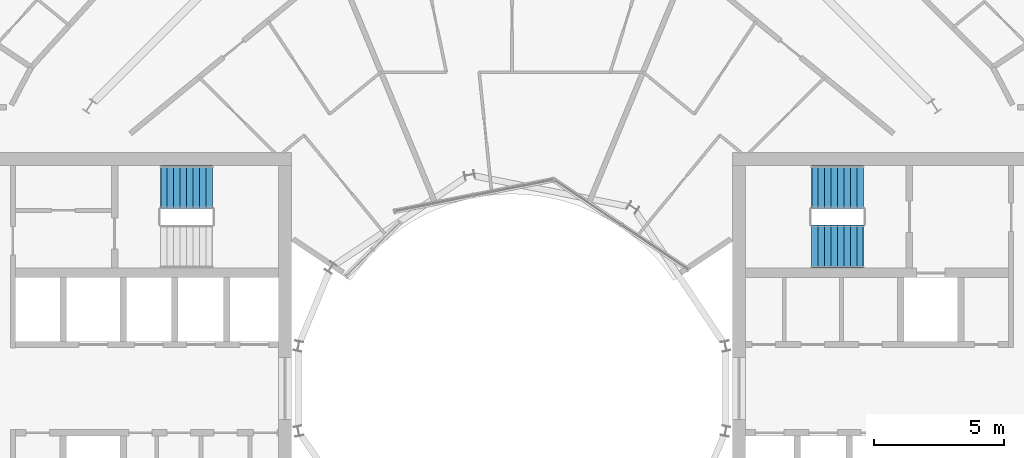
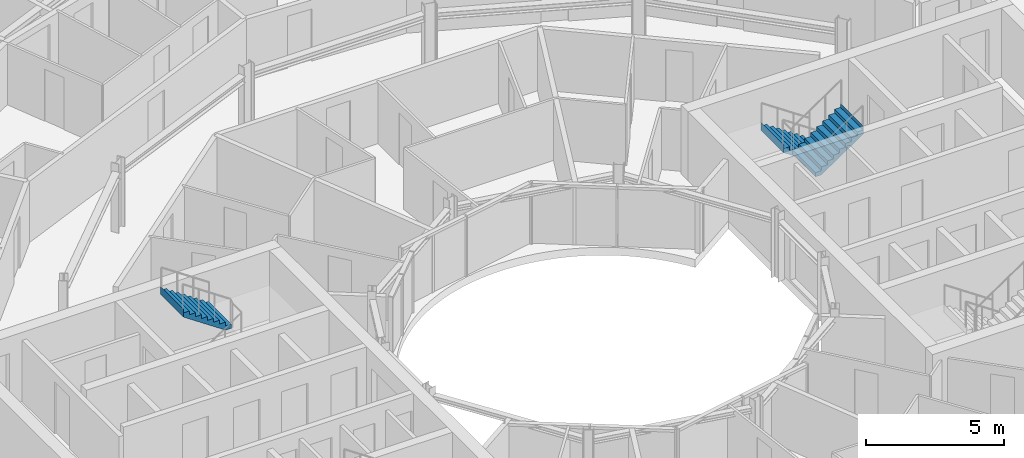
# One storey, part 26 of 28: 3 stair flights, 2 elements without a shape of their own.
"""IFC4 building model written with IfcOpenShell, lengths in metres."""

from ifc_helpers import new_model, si_unit, direction, frame, origin, place, context, subcontext, project, spatial, triangles, material, type_object, element, aggregate, save


model = new_model("IFC4")

# Units and contexts
model_context = context("Model", 3, precision=1e-05, world=origin(), true_north=direction((0.0, 1.0)))
body_context = subcontext(model_context, "Body", "Model", "MODEL_VIEW")
ifc_project = project(units=[si_unit("LENGTHUNIT", "METRE"), si_unit("AREAUNIT", "SQUARE_METRE"), si_unit("VOLUMEUNIT", "CUBIC_METRE"), si_unit("PLANEANGLEUNIT", "RADIAN"), si_unit("MASSUNIT", "GRAM", prefix="KILO")], contexts=[model_context])

# Site, building, storey
site_placement = place(None, origin())
site = spatial("IfcSite", under=ifc_project, at=site_placement, CompositionType="ELEMENT")
building_placement = place(site_placement, origin())
building = spatial("IfcBuilding", under=site, at=building_placement, Name="Maasbend Ring Residences", CompositionType="ELEMENT")
storey_placement = place(building_placement, frame((0.0, 0.0, 173.800048828125)))
storey = spatial("IfcBuildingStorey", under=building, at=storey_placement, Name="L50", CompositionType="ELEMENT", Elevation=173.800048828125)

# Stair, stair flights
ifc_material_1 = material(Name="Concrete C40/50", Category="concrete")
stair_type = type_object("IfcStairType", Name="CORE STAIR 18 RISERS", PredefinedType="HALF_TURN_STAIR", material=ifc_material_1)
stair_1_placement = place(storey_placement, origin())
stair_1 = element("IfcStair", 1, at=stair_1_placement, inside=storey, type_object=stair_type, Name="L50 Exit stair ST-E1", PredefinedType="HALF_TURN_STAIR")
ifc_material_2 = material(Name="Concrete C40/50", Category="concrete")
stair_flight_type = type_object("IfcStairFlightType", Name="CORE STAIR FLIGHT 1650", PredefinedType="STRAIGHT", material=ifc_material_2)
stair_flight_1_placement = place(storey_placement, frame((13.550048828125, 7.77490234375, 0.0), z_axis=(0.0, 0.0, 1.0), x_axis=(-1.0, 0.0, 0.0)))
stair_flight_1 = element("IfcStairFlight", 2, at=stair_flight_1_placement, type_object=stair_flight_type, Name="ST-E1 flight 1", NumberOfRisers=9, NumberOfTreads=8, PredefinedType="STRAIGHT", RiserHeight=0.169444444, TreadLength=0.25, context=body_context, shape_type="Tessellation", body=[
    triangles([(0.24072265625, 0.824951171875, -0.02001953125), (2.0029296875, 0.824951171875, 1.174560546875), (2.0029296875, 0.824951171875, 1.52490234375), (1.989990234375, 0.824951171875, 1.35546875), (1.75, 0.824951171875, 1.35546875), (1.75, 0.824951171875, 1.18603515625), (1.5, 0.824951171875, 1.18603515625), (1.5, 0.824951171875, 1.0166015625), (1.25, 0.824951171875, 1.0166015625), (1.25, 0.824951171875, 0.84716796875), (1.0, 0.824951171875, 0.84716796875), (1.0, 0.824951171875, 0.677734375), (0.75, 0.824951171875, 0.677734375), (0.75, 0.824951171875, 0.50830078125), (0.5, 0.824951171875, 0.50830078125), (0.5, 0.824951171875, 0.3388671875), (0.25, 0.824951171875, 0.3388671875), (0.25, 0.824951171875, 0.16943359375), (0.0, 0.824951171875, 0.16943359375), (0.0, 0.824951171875, 0.0), (-0.0029296875, 0.824951171875, 0.0), (-0.0029296875, 0.824951171875, -0.02001953125), (0.24072265625, 0.27490234375, -0.02001953125), (2.0029296875, 0.27490234375, 1.174560546875), (2.0029296875, 0.27490234375, 1.52490234375), (1.989990234375, 0.27490234375, 1.35546875), (1.75, 0.27490234375, 1.35546875), (1.75, 0.27490234375, 1.18603515625), (1.5, 0.27490234375, 1.18603515625), (1.5, 0.27490234375, 1.0166015625), (1.25, 0.27490234375, 1.0166015625), (1.25, 0.27490234375, 0.84716796875), (1.0, 0.27490234375, 0.84716796875), (1.0, 0.27490234375, 0.677734375), (0.75, 0.27490234375, 0.677734375), (0.75, 0.27490234375, 0.50830078125), (0.5, 0.27490234375, 0.50830078125), (0.5, 0.27490234375, 0.3388671875), (0.25, 0.27490234375, 0.3388671875), (0.25, 0.27490234375, 0.16943359375), (0.0, 0.27490234375, 0.16943359375), (0.0, 0.27490234375, 0.0), (-0.0029296875, 0.27490234375, 0.0), (-0.0029296875, 0.27490234375, -0.02001953125), (0.24072265625, -0.27490234375, -0.02001953125), (2.0029296875, -0.27490234375, 1.174560546875), (2.0029296875, -0.27490234375, 1.52490234375), (1.989990234375, -0.27490234375, 1.35546875), (1.75, -0.27490234375, 1.35546875), (1.75, -0.27490234375, 1.18603515625), (1.5, -0.27490234375, 1.18603515625), (1.5, -0.27490234375, 1.0166015625), (1.25, -0.27490234375, 1.0166015625), (1.25, -0.27490234375, 0.84716796875), (1.0, -0.27490234375, 0.84716796875), (1.0, -0.27490234375, 0.677734375), (0.75, -0.27490234375, 0.677734375), (0.75, -0.27490234375, 0.50830078125), (0.5, -0.27490234375, 0.50830078125), (0.5, -0.27490234375, 0.3388671875), (0.25, -0.27490234375, 0.3388671875), (0.25, -0.27490234375, 0.16943359375), (0.0, -0.27490234375, 0.16943359375), (0.0, -0.27490234375, 0.0), (-0.0029296875, -0.27490234375, 0.0), (-0.0029296875, -0.27490234375, -0.02001953125), (0.24072265625, -0.824951171875, -0.02001953125), (2.0029296875, -0.824951171875, 1.174560546875), (2.0029296875, -0.824951171875, 1.52490234375), (1.989990234375, -0.824951171875, 1.35546875), (1.75, -0.824951171875, 1.35546875), (1.75, -0.824951171875, 1.18603515625), (1.5, -0.824951171875, 1.18603515625), (1.5, -0.824951171875, 1.0166015625), (1.25, -0.824951171875, 1.0166015625), (1.25, -0.824951171875, 0.84716796875), (1.0, -0.824951171875, 0.84716796875), (1.0, -0.824951171875, 0.677734375), (0.75, -0.824951171875, 0.677734375), (0.75, -0.824951171875, 0.50830078125), (0.5, -0.824951171875, 0.50830078125), (0.5, -0.824951171875, 0.3388671875), (0.25, -0.824951171875, 0.3388671875), (0.25, -0.824951171875, 0.16943359375), (0.0, -0.824951171875, 0.16943359375), (0.0, -0.824951171875, 0.0), (-0.0029296875, -0.824951171875, 0.0), (-0.0029296875, -0.824951171875, -0.02001953125)], [[1, 2, 24], [1, 24, 23], [23, 24, 46], [23, 46, 45], [45, 46, 68], [45, 68, 67], [2, 3, 25], [2, 25, 24], [24, 25, 47], [24, 47, 46], [46, 47, 69], [46, 69, 68], [3, 4, 26], [3, 26, 25], [25, 26, 48], [25, 48, 47], [47, 48, 70], [47, 70, 69], [4, 5, 27], [4, 27, 26], [26, 27, 49], [26, 49, 48], [48, 49, 71], [48, 71, 70], [5, 6, 28], [5, 28, 27], [27, 28, 50], [27, 50, 49], [49, 50, 72], [49, 72, 71], [6, 7, 29], [6, 29, 28], [28, 29, 51], [28, 51, 50], [50, 51, 73], [50, 73, 72], [7, 8, 30], [7, 30, 29], [29, 30, 52], [29, 52, 51], [51, 52, 74], [51, 74, 73], [8, 9, 31], [8, 31, 30], [30, 31, 53], [30, 53, 52], [52, 53, 75], [52, 75, 74], [9, 10, 32], [9, 32, 31], [31, 32, 54], [31, 54, 53], [53, 54, 76], [53, 76, 75], [10, 11, 33], [10, 33, 32], [32, 33, 55], [32, 55, 54], [54, 55, 77], [54, 77, 76], [11, 12, 34], [11, 34, 33], [33, 34, 56], [33, 56, 55], [55, 56, 78], [55, 78, 77], [12, 13, 35], [12, 35, 34], [34, 35, 57], [34, 57, 56], [56, 57, 79], [56, 79, 78], [13, 14, 36], [13, 36, 35], [35, 36, 58], [35, 58, 57], [57, 58, 80], [57, 80, 79], [14, 15, 37], [14, 37, 36], [36, 37, 59], [36, 59, 58], [58, 59, 81], [58, 81, 80], [15, 16, 38], [15, 38, 37], [37, 38, 60], [37, 60, 59], [59, 60, 82], [59, 82, 81], [16, 17, 39], [16, 39, 38], [38, 39, 61], [38, 61, 60], [60, 61, 83], [60, 83, 82], [17, 18, 40], [17, 40, 39], [39, 40, 62], [39, 62, 61], [61, 62, 84], [61, 84, 83], [18, 19, 41], [18, 41, 40], [40, 41, 63], [40, 63, 62], [62, 63, 85], [62, 85, 84], [19, 20, 42], [19, 42, 41], [41, 42, 64], [41, 64, 63], [63, 64, 86], [63, 86, 85], [20, 21, 43], [20, 43, 42], [42, 43, 65], [42, 65, 64], [64, 65, 87], [64, 87, 86], [21, 22, 44], [21, 44, 43], [43, 44, 66], [43, 66, 65], [65, 66, 88], [65, 88, 87], [22, 1, 23], [22, 23, 44], [44, 23, 45], [44, 45, 66], [66, 45, 67], [66, 67, 88], [22, 2, 1], [2, 4, 3], [2, 5, 4], [2, 6, 5], [22, 6, 2], [6, 8, 7], [22, 8, 6], [8, 10, 9], [22, 10, 8], [10, 12, 11], [22, 12, 10], [12, 14, 13], [22, 14, 12], [14, 16, 15], [22, 16, 14], [16, 18, 17], [22, 18, 16], [18, 20, 19], [22, 20, 18], [20, 22, 21], [88, 67, 68], [68, 69, 70], [68, 70, 71], [68, 71, 72], [88, 68, 72], [72, 73, 74], [88, 72, 74], [74, 75, 76], [88, 74, 76], [76, 77, 78], [88, 76, 78], [78, 79, 80], [88, 78, 80], [80, 81, 82], [88, 80, 82], [82, 83, 84], [88, 82, 84], [84, 85, 86], [88, 84, 86], [86, 87, 88]], closed=True),
])
stair_flight_2_placement = place(storey_placement, frame((11.550048828125, 5.47509765625, 1.52490234375), z_axis=(0.0, 0.0, 1.0), x_axis=(1.0, 0.0, 0.0)))
stair_flight_2 = element("IfcStairFlight", 3, at=stair_flight_2_placement, type_object=stair_flight_type, Name="ST-E1 flight 2", NumberOfRisers=9, NumberOfTreads=8, PredefinedType="STRAIGHT", RiserHeight=0.169444444, TreadLength=0.25, context=body_context, shape_type="Tessellation", body=[
    triangles([(0.24072265625, 0.824951171875, -0.02001953125), (2.0029296875, 0.824951171875, 1.174560546875), (2.0029296875, 0.824951171875, 1.52490234375), (1.989990234375, 0.824951171875, 1.35546875), (1.75, 0.824951171875, 1.35546875), (1.75, 0.824951171875, 1.18603515625), (1.5, 0.824951171875, 1.18603515625), (1.5, 0.824951171875, 1.0166015625), (1.25, 0.824951171875, 1.0166015625), (1.25, 0.824951171875, 0.84716796875), (1.0, 0.824951171875, 0.84716796875), (1.0, 0.824951171875, 0.677734375), (0.75, 0.824951171875, 0.677734375), (0.75, 0.824951171875, 0.50830078125), (0.5, 0.824951171875, 0.50830078125), (0.5, 0.824951171875, 0.3388671875), (0.25, 0.824951171875, 0.3388671875), (0.25, 0.824951171875, 0.16943359375), (0.0, 0.824951171875, 0.16943359375), (0.0, 0.824951171875, 0.0), (-0.0029296875, 0.824951171875, 0.0), (-0.0029296875, 0.824951171875, -0.02001953125), (0.24072265625, 0.27490234375, -0.02001953125), (2.0029296875, 0.27490234375, 1.174560546875), (2.0029296875, 0.27490234375, 1.52490234375), (1.989990234375, 0.27490234375, 1.35546875), (1.75, 0.27490234375, 1.35546875), (1.75, 0.27490234375, 1.18603515625), (1.5, 0.27490234375, 1.18603515625), (1.5, 0.27490234375, 1.0166015625), (1.25, 0.27490234375, 1.0166015625), (1.25, 0.27490234375, 0.84716796875), (1.0, 0.27490234375, 0.84716796875), (1.0, 0.27490234375, 0.677734375), (0.75, 0.27490234375, 0.677734375), (0.75, 0.27490234375, 0.50830078125), (0.5, 0.27490234375, 0.50830078125), (0.5, 0.27490234375, 0.3388671875), (0.25, 0.27490234375, 0.3388671875), (0.25, 0.27490234375, 0.16943359375), (0.0, 0.27490234375, 0.16943359375), (0.0, 0.27490234375, 0.0), (-0.0029296875, 0.27490234375, 0.0), (-0.0029296875, 0.27490234375, -0.02001953125), (0.24072265625, -0.27490234375, -0.02001953125), (2.0029296875, -0.27490234375, 1.174560546875), (2.0029296875, -0.27490234375, 1.52490234375), (1.989990234375, -0.27490234375, 1.35546875), (1.75, -0.27490234375, 1.35546875), (1.75, -0.27490234375, 1.18603515625), (1.5, -0.27490234375, 1.18603515625), (1.5, -0.27490234375, 1.0166015625), (1.25, -0.27490234375, 1.0166015625), (1.25, -0.27490234375, 0.84716796875), (1.0, -0.27490234375, 0.84716796875), (1.0, -0.27490234375, 0.677734375), (0.75, -0.27490234375, 0.677734375), (0.75, -0.27490234375, 0.50830078125), (0.5, -0.27490234375, 0.50830078125), (0.5, -0.27490234375, 0.3388671875), (0.25, -0.27490234375, 0.3388671875), (0.25, -0.27490234375, 0.16943359375), (0.0, -0.27490234375, 0.16943359375), (0.0, -0.27490234375, 0.0), (-0.0029296875, -0.27490234375, 0.0), (-0.0029296875, -0.27490234375, -0.02001953125), (0.24072265625, -0.824951171875, -0.02001953125), (2.0029296875, -0.824951171875, 1.174560546875), (2.0029296875, -0.824951171875, 1.52490234375), (1.989990234375, -0.824951171875, 1.35546875), (1.75, -0.824951171875, 1.35546875), (1.75, -0.824951171875, 1.18603515625), (1.5, -0.824951171875, 1.18603515625), (1.5, -0.824951171875, 1.0166015625), (1.25, -0.824951171875, 1.0166015625), (1.25, -0.824951171875, 0.84716796875), (1.0, -0.824951171875, 0.84716796875), (1.0, -0.824951171875, 0.677734375), (0.75, -0.824951171875, 0.677734375), (0.75, -0.824951171875, 0.50830078125), (0.5, -0.824951171875, 0.50830078125), (0.5, -0.824951171875, 0.3388671875), (0.25, -0.824951171875, 0.3388671875), (0.25, -0.824951171875, 0.16943359375), (0.0, -0.824951171875, 0.16943359375), (0.0, -0.824951171875, 0.0), (-0.0029296875, -0.824951171875, 0.0), (-0.0029296875, -0.824951171875, -0.02001953125)], [[1, 2, 24], [1, 24, 23], [23, 24, 46], [23, 46, 45], [45, 46, 68], [45, 68, 67], [2, 3, 25], [2, 25, 24], [24, 25, 47], [24, 47, 46], [46, 47, 69], [46, 69, 68], [3, 4, 26], [3, 26, 25], [25, 26, 48], [25, 48, 47], [47, 48, 70], [47, 70, 69], [4, 5, 27], [4, 27, 26], [26, 27, 49], [26, 49, 48], [48, 49, 71], [48, 71, 70], [5, 6, 28], [5, 28, 27], [27, 28, 50], [27, 50, 49], [49, 50, 72], [49, 72, 71], [6, 7, 29], [6, 29, 28], [28, 29, 51], [28, 51, 50], [50, 51, 73], [50, 73, 72], [7, 8, 30], [7, 30, 29], [29, 30, 52], [29, 52, 51], [51, 52, 74], [51, 74, 73], [8, 9, 31], [8, 31, 30], [30, 31, 53], [30, 53, 52], [52, 53, 75], [52, 75, 74], [9, 10, 32], [9, 32, 31], [31, 32, 54], [31, 54, 53], [53, 54, 76], [53, 76, 75], [10, 11, 33], [10, 33, 32], [32, 33, 55], [32, 55, 54], [54, 55, 77], [54, 77, 76], [11, 12, 34], [11, 34, 33], [33, 34, 56], [33, 56, 55], [55, 56, 78], [55, 78, 77], [12, 13, 35], [12, 35, 34], [34, 35, 57], [34, 57, 56], [56, 57, 79], [56, 79, 78], [13, 14, 36], [13, 36, 35], [35, 36, 58], [35, 58, 57], [57, 58, 80], [57, 80, 79], [14, 15, 37], [14, 37, 36], [36, 37, 59], [36, 59, 58], [58, 59, 81], [58, 81, 80], [15, 16, 38], [15, 38, 37], [37, 38, 60], [37, 60, 59], [59, 60, 82], [59, 82, 81], [16, 17, 39], [16, 39, 38], [38, 39, 61], [38, 61, 60], [60, 61, 83], [60, 83, 82], [17, 18, 40], [17, 40, 39], [39, 40, 62], [39, 62, 61], [61, 62, 84], [61, 84, 83], [18, 19, 41], [18, 41, 40], [40, 41, 63], [40, 63, 62], [62, 63, 85], [62, 85, 84], [19, 20, 42], [19, 42, 41], [41, 42, 64], [41, 64, 63], [63, 64, 86], [63, 86, 85], [20, 21, 43], [20, 43, 42], [42, 43, 65], [42, 65, 64], [64, 65, 87], [64, 87, 86], [21, 22, 44], [21, 44, 43], [43, 44, 66], [43, 66, 65], [65, 66, 88], [65, 88, 87], [22, 1, 23], [22, 23, 44], [44, 23, 45], [44, 45, 66], [66, 45, 67], [66, 67, 88], [22, 2, 1], [2, 4, 3], [2, 5, 4], [2, 6, 5], [22, 6, 2], [6, 8, 7], [22, 8, 6], [8, 10, 9], [22, 10, 8], [10, 12, 11], [22, 12, 10], [12, 14, 13], [22, 14, 12], [14, 16, 15], [22, 16, 14], [16, 18, 17], [22, 18, 16], [18, 20, 19], [22, 20, 18], [20, 22, 21], [88, 67, 68], [68, 69, 70], [68, 70, 71], [68, 71, 72], [88, 68, 72], [72, 73, 74], [88, 72, 74], [74, 75, 76], [88, 74, 76], [76, 77, 78], [88, 76, 78], [78, 79, 80], [88, 78, 80], [80, 81, 82], [88, 80, 82], [82, 83, 84], [88, 82, 84], [84, 85, 86], [88, 84, 86], [86, 87, 88]], closed=True),
])
aggregate(stair_1, [stair_flight_1, stair_flight_2])

# Stair, stair flight
stair_2_placement = place(storey_placement, origin())
stair_2 = element("IfcStair", 4, at=stair_2_placement, inside=storey, type_object=stair_type, Name="L50 Exit stair ST-W2", PredefinedType="HALF_TURN_STAIR")
stair_flight_3_placement = place(storey_placement, frame((-11.550048828125, 7.77490234375, 1.52490234375), z_axis=(0.0, 0.0, 1.0), x_axis=(-1.0, 0.0, 0.0)))
stair_flight_3 = element("IfcStairFlight", 5, at=stair_flight_3_placement, type_object=stair_flight_type, Name="ST-W2 flight 2", NumberOfRisers=9, NumberOfTreads=8, PredefinedType="STRAIGHT", RiserHeight=0.169444444, TreadLength=0.25, context=body_context, shape_type="Tessellation", body=[
    triangles([(0.24072265625, 0.824951171875, -0.02001953125), (2.0029296875, 0.824951171875, 1.174560546875), (2.0029296875, 0.824951171875, 1.52490234375), (1.989990234375, 0.824951171875, 1.35546875), (1.75, 0.824951171875, 1.35546875), (1.75, 0.824951171875, 1.18603515625), (1.5, 0.824951171875, 1.18603515625), (1.5, 0.824951171875, 1.0166015625), (1.25, 0.824951171875, 1.0166015625), (1.25, 0.824951171875, 0.84716796875), (1.0, 0.824951171875, 0.84716796875), (1.0, 0.824951171875, 0.677734375), (0.75, 0.824951171875, 0.677734375), (0.75, 0.824951171875, 0.50830078125), (0.5, 0.824951171875, 0.50830078125), (0.5, 0.824951171875, 0.3388671875), (0.25, 0.824951171875, 0.3388671875), (0.25, 0.824951171875, 0.16943359375), (0.0, 0.824951171875, 0.16943359375), (0.0, 0.824951171875, 0.0), (-0.0029296875, 0.824951171875, 0.0), (-0.0029296875, 0.824951171875, -0.02001953125), (0.24072265625, 0.27490234375, -0.02001953125), (2.0029296875, 0.27490234375, 1.174560546875), (2.0029296875, 0.27490234375, 1.52490234375), (1.989990234375, 0.27490234375, 1.35546875), (1.75, 0.27490234375, 1.35546875), (1.75, 0.27490234375, 1.18603515625), (1.5, 0.27490234375, 1.18603515625), (1.5, 0.27490234375, 1.0166015625), (1.25, 0.27490234375, 1.0166015625), (1.25, 0.27490234375, 0.84716796875), (1.0, 0.27490234375, 0.84716796875), (1.0, 0.27490234375, 0.677734375), (0.75, 0.27490234375, 0.677734375), (0.75, 0.27490234375, 0.50830078125), (0.5, 0.27490234375, 0.50830078125), (0.5, 0.27490234375, 0.3388671875), (0.25, 0.27490234375, 0.3388671875), (0.25, 0.27490234375, 0.16943359375), (0.0, 0.27490234375, 0.16943359375), (0.0, 0.27490234375, 0.0), (-0.0029296875, 0.27490234375, 0.0), (-0.0029296875, 0.27490234375, -0.02001953125), (0.24072265625, -0.27490234375, -0.02001953125), (2.0029296875, -0.27490234375, 1.174560546875), (2.0029296875, -0.27490234375, 1.52490234375), (1.989990234375, -0.27490234375, 1.35546875), (1.75, -0.27490234375, 1.35546875), (1.75, -0.27490234375, 1.18603515625), (1.5, -0.27490234375, 1.18603515625), (1.5, -0.27490234375, 1.0166015625), (1.25, -0.27490234375, 1.0166015625), (1.25, -0.27490234375, 0.84716796875), (1.0, -0.27490234375, 0.84716796875), (1.0, -0.27490234375, 0.677734375), (0.75, -0.27490234375, 0.677734375), (0.75, -0.27490234375, 0.50830078125), (0.5, -0.27490234375, 0.50830078125), (0.5, -0.27490234375, 0.3388671875), (0.25, -0.27490234375, 0.3388671875), (0.25, -0.27490234375, 0.16943359375), (0.0, -0.27490234375, 0.16943359375), (0.0, -0.27490234375, 0.0), (-0.0029296875, -0.27490234375, 0.0), (-0.0029296875, -0.27490234375, -0.02001953125), (0.24072265625, -0.824951171875, -0.02001953125), (2.0029296875, -0.824951171875, 1.174560546875), (2.0029296875, -0.824951171875, 1.52490234375), (1.989990234375, -0.824951171875, 1.35546875), (1.75, -0.824951171875, 1.35546875), (1.75, -0.824951171875, 1.18603515625), (1.5, -0.824951171875, 1.18603515625), (1.5, -0.824951171875, 1.0166015625), (1.25, -0.824951171875, 1.0166015625), (1.25, -0.824951171875, 0.84716796875), (1.0, -0.824951171875, 0.84716796875), (1.0, -0.824951171875, 0.677734375), (0.75, -0.824951171875, 0.677734375), (0.75, -0.824951171875, 0.50830078125), (0.5, -0.824951171875, 0.50830078125), (0.5, -0.824951171875, 0.3388671875), (0.25, -0.824951171875, 0.3388671875), (0.25, -0.824951171875, 0.16943359375), (0.0, -0.824951171875, 0.16943359375), (0.0, -0.824951171875, 0.0), (-0.0029296875, -0.824951171875, 0.0), (-0.0029296875, -0.824951171875, -0.02001953125)], [[1, 2, 24], [1, 24, 23], [23, 24, 46], [23, 46, 45], [45, 46, 68], [45, 68, 67], [2, 3, 25], [2, 25, 24], [24, 25, 47], [24, 47, 46], [46, 47, 69], [46, 69, 68], [3, 4, 26], [3, 26, 25], [25, 26, 48], [25, 48, 47], [47, 48, 70], [47, 70, 69], [4, 5, 27], [4, 27, 26], [26, 27, 49], [26, 49, 48], [48, 49, 71], [48, 71, 70], [5, 6, 28], [5, 28, 27], [27, 28, 50], [27, 50, 49], [49, 50, 72], [49, 72, 71], [6, 7, 29], [6, 29, 28], [28, 29, 51], [28, 51, 50], [50, 51, 73], [50, 73, 72], [7, 8, 30], [7, 30, 29], [29, 30, 52], [29, 52, 51], [51, 52, 74], [51, 74, 73], [8, 9, 31], [8, 31, 30], [30, 31, 53], [30, 53, 52], [52, 53, 75], [52, 75, 74], [9, 10, 32], [9, 32, 31], [31, 32, 54], [31, 54, 53], [53, 54, 76], [53, 76, 75], [10, 11, 33], [10, 33, 32], [32, 33, 55], [32, 55, 54], [54, 55, 77], [54, 77, 76], [11, 12, 34], [11, 34, 33], [33, 34, 56], [33, 56, 55], [55, 56, 78], [55, 78, 77], [12, 13, 35], [12, 35, 34], [34, 35, 57], [34, 57, 56], [56, 57, 79], [56, 79, 78], [13, 14, 36], [13, 36, 35], [35, 36, 58], [35, 58, 57], [57, 58, 80], [57, 80, 79], [14, 15, 37], [14, 37, 36], [36, 37, 59], [36, 59, 58], [58, 59, 81], [58, 81, 80], [15, 16, 38], [15, 38, 37], [37, 38, 60], [37, 60, 59], [59, 60, 82], [59, 82, 81], [16, 17, 39], [16, 39, 38], [38, 39, 61], [38, 61, 60], [60, 61, 83], [60, 83, 82], [17, 18, 40], [17, 40, 39], [39, 40, 62], [39, 62, 61], [61, 62, 84], [61, 84, 83], [18, 19, 41], [18, 41, 40], [40, 41, 63], [40, 63, 62], [62, 63, 85], [62, 85, 84], [19, 20, 42], [19, 42, 41], [41, 42, 64], [41, 64, 63], [63, 64, 86], [63, 86, 85], [20, 21, 43], [20, 43, 42], [42, 43, 65], [42, 65, 64], [64, 65, 87], [64, 87, 86], [21, 22, 44], [21, 44, 43], [43, 44, 66], [43, 66, 65], [65, 66, 88], [65, 88, 87], [22, 1, 23], [22, 23, 44], [44, 23, 45], [44, 45, 66], [66, 45, 67], [66, 67, 88], [22, 2, 1], [2, 4, 3], [2, 5, 4], [2, 6, 5], [22, 6, 2], [6, 8, 7], [22, 8, 6], [8, 10, 9], [22, 10, 8], [10, 12, 11], [22, 12, 10], [12, 14, 13], [22, 14, 12], [14, 16, 15], [22, 16, 14], [16, 18, 17], [22, 18, 16], [18, 20, 19], [22, 20, 18], [20, 22, 21], [88, 67, 68], [68, 69, 70], [68, 70, 71], [68, 71, 72], [88, 68, 72], [72, 73, 74], [88, 72, 74], [74, 75, 76], [88, 74, 76], [76, 77, 78], [88, 76, 78], [78, 79, 80], [88, 78, 80], [80, 81, 82], [88, 80, 82], [82, 83, 84], [88, 82, 84], [84, 85, 86], [88, 84, 86], [86, 87, 88]], closed=True),
])
aggregate(stair_2, [stair_flight_3])

save(model, "model.ifc")
